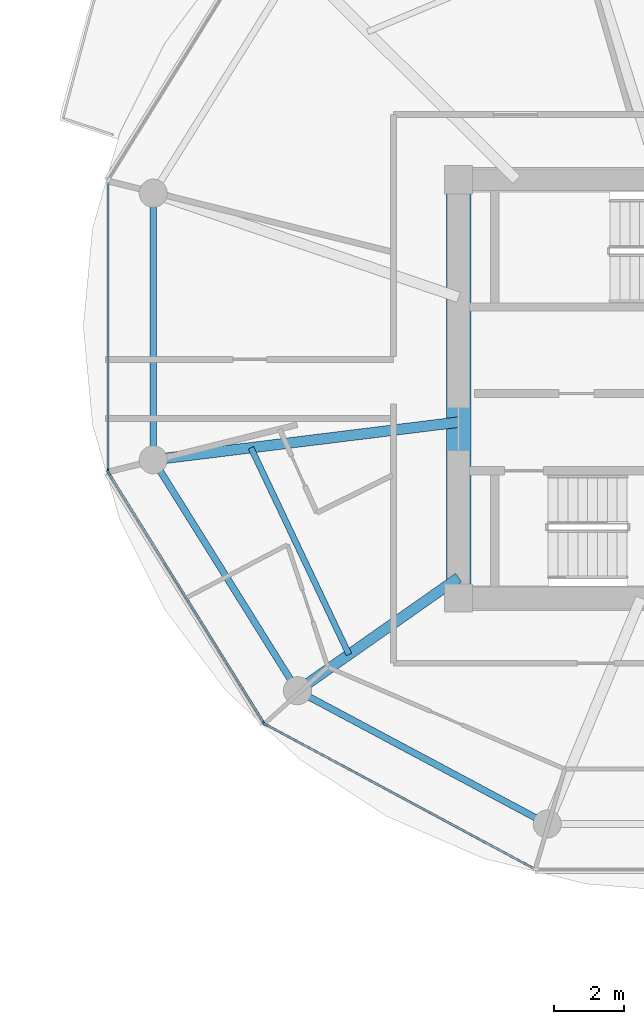
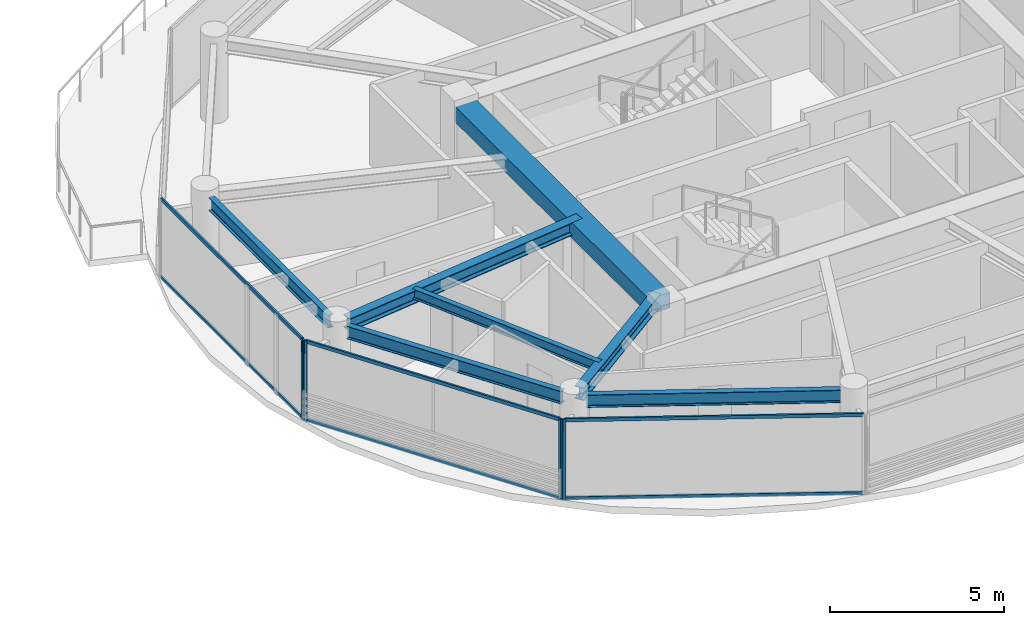
# One storey, part 6 of 22: 10 members, 7 beams, 3 elements without a shape of their own.
"""IFC4 building model written with IfcOpenShell, lengths in metres."""

from ifc_helpers import new_model, si_unit, direction, frame, origin, origin_2d, place, context, subcontext, project, spatial, rectangle, i_section, extrude, source, transform, mapped, material, layer, layer_set, material_profile, profile_set, type_object, type_shapes, element, aggregate, save


model = new_model("IFC4")

# Units and contexts
model_context = context("Model", 3, precision=1e-05, world=origin(), true_north=direction((0.0, 1.0)))
body_context = subcontext(model_context, "Body", "Model", "MODEL_VIEW")
ifc_project = project(units=[si_unit("LENGTHUNIT", "METRE"), si_unit("AREAUNIT", "SQUARE_METRE"), si_unit("VOLUMEUNIT", "CUBIC_METRE"), si_unit("PLANEANGLEUNIT", "RADIAN"), si_unit("MASSUNIT", "GRAM", prefix="KILO")], contexts=[model_context])

# Site, building, storey
site_placement = place(None, origin())
site = spatial("IfcSite", under=ifc_project, at=site_placement, CompositionType="ELEMENT")
building_placement = place(site_placement, origin())
building = spatial("IfcBuilding", under=site, at=building_placement, Name="Norrkilde Senior Care Towers", CompositionType="ELEMENT")
storey_placement = place(building_placement, frame((0.0, 0.0, 180.050048828125)))
storey = spatial("IfcBuildingStorey", under=building, at=storey_placement, Name="L56", CompositionType="ELEMENT", Elevation=180.050048828125)

# Beams
ifc_material_1 = material(Name="Concrete C60/75", Category="concrete")
ifc_material_profile_1 = material_profile(ifc_material_1, rectangle(XDim=0.699951171875, YDim=0.550048828125, at=origin_2d()), Name="RC BM 700x550")
ifc_profile_set_1 = profile_set([ifc_material_profile_1], Name="Concrete C60/75")
beam_type_1 = type_object("IfcBeamType", Name="Core Portal Coupling Beam 700x550", PredefinedType="USERDEFINED", material=ifc_profile_set_1)
shared_shape_1 = source(origin(), body_context, "Body", "SweptSolid", [
    extrude(rectangle(XDim=0.699951171875, YDim=0.550048828125, at=origin_2d()), origin(), (0.0, 0.0, 1.0), 11.14013671875),
])
type_shapes(beam_type_1, [shared_shape_1])
beam_1_placement = place(storey_placement, frame((20.35009765625, -5.570068359375, 2.534912109375), z_axis=(0.0, 1.0, 0.0), x_axis=(-1.0, 0.0, 0.0)))
element("IfcBeam", 1, at=beam_1_placement, inside=storey, type_object=beam_type_1, Name="L56 Core E W Coupling Girder", ObjectType="GIRDER", PredefinedType="USERDEFINED", context=body_context, shape_type="MappedRepresentation", body=[
    mapped(shared_shape_1, transform((0.0, 0.0, 0.0), x_axis=(1.0, 0.0, 0.0), y_axis=(0.0, 1.0, 0.0), z_axis=(0.0, 0.0, 1.0), scale=1.0)),
])
ifc_material_2 = material(Name="Steel S355", Category="steel")
ifc_material_profile_2 = material_profile(ifc_material_2, i_section(OverallWidth=0.18994140625, OverallDepth=0.449951171875, WebThickness=0.009521484375, FlangeThickness=0.0146484375, FilletRadius=0.02099609375, at=origin_2d()), Name="IPE 450")
ifc_profile_set_2 = profile_set([ifc_material_profile_2], Name="Steel S355")
beam_type_2 = type_object("IfcBeamType", Name="Perimeter Ring Spandrel Z3 IPE450", PredefinedType="SPANDREL", material=ifc_profile_set_2)
shared_shape_2 = source(origin(), body_context, "Body", "SweptSolid", [
    extrude(i_section(OverallWidth=0.18994140625, OverallDepth=0.449951171875, WebThickness=0.009521484375, FlangeThickness=0.0146484375, FilletRadius=0.02099609375, at=origin_2d()), origin(), (0.0, 0.0, 1.0), 6.86328125),
])
beam_2_placement = place(storey_placement, frame((11.6650390625, 5.20703125, 2.5849609375), z_axis=(0.0, -1.0, 0.0), x_axis=(1.0, 0.0, 0.0)))
element("IfcBeam", 2, at=beam_2_placement, inside=storey, type_object=beam_type_2, Name="L56 Drum E Perimeter Spandrel 06", PredefinedType="SPANDREL", context=body_context, shape_type="MappedRepresentation", body=[
    mapped(shared_shape_2, transform((0.0, 0.0, 0.0), x_axis=(1.0, 0.0, 0.0), y_axis=(0.0, 1.0, 0.0), z_axis=(0.0, 0.0, 1.0), scale=1.0)),
])
shared_shape_3 = source(origin(), body_context, "Body", "SweptSolid", [
    extrude(i_section(OverallWidth=0.18994140625, OverallDepth=0.449951171875, WebThickness=0.009521484375, FlangeThickness=0.0146484375, FilletRadius=0.02099609375, at=origin_2d()), origin(), (0.0, 0.0, 1.0), 7.023193359375),
])
beam_3_placement = place(storey_placement, frame((11.855712890625, -2.32177734375, 2.5849609375), z_axis=(0.529805197269, -0.848119362441, 0.0), x_axis=(0.848119362441, 0.529805197269, 0.0)))
element("IfcBeam", 3, at=beam_3_placement, inside=storey, type_object=beam_type_2, Name="L56 Drum E Perimeter Spandrel 07", PredefinedType="SPANDREL", context=body_context, shape_type="MappedRepresentation", body=[
    mapped(shared_shape_3, transform((0.0, 0.0, 0.0), x_axis=(1.0, 0.0, 0.0), y_axis=(0.0, 1.0, 0.0), z_axis=(0.0, 0.0, 1.0), scale=1.0)),
])
shared_shape_4 = source(origin(), body_context, "Body", "SweptSolid", [
    extrude(i_section(OverallWidth=0.18994140625, OverallDepth=0.449951171875, WebThickness=0.009521484375, FlangeThickness=0.0146484375, FilletRadius=0.02099609375, at=origin_2d()), origin(), (0.0, 0.0, 1.0), 7.333984375),
])
type_shapes(beam_type_2, [shared_shape_2, shared_shape_3, shared_shape_4])
beam_4_placement = place(storey_placement, frame((16.0849609375, -8.753173828125, 2.5849609375), z_axis=(0.882234038987, -0.470811109101, 0.0), x_axis=(0.470811109101, 0.882234038987, 0.0)))
element("IfcBeam", 4, at=beam_4_placement, inside=storey, type_object=beam_type_2, Name="L56 Drum E Perimeter Spandrel 08", PredefinedType="SPANDREL", context=body_context, shape_type="MappedRepresentation", body=[
    mapped(shared_shape_4, transform((0.0, 0.0, 0.0), x_axis=(1.0, 0.0, 0.0), y_axis=(0.0, 1.0, 0.0), z_axis=(0.0, 0.0, 1.0), scale=1.0)),
])
ifc_material_profile_3 = material_profile(ifc_material_2, i_section(OverallWidth=0.300048828125, OverallDepth=0.449951171875, WebThickness=0.013916015625, FlangeThickness=0.02587890625, FilletRadius=0.027099609375, at=origin_2d()), Name="HEB 450")
ifc_profile_set_3 = profile_set([ifc_material_profile_3], Name="Steel S355")
beam_type_3 = type_object("IfcBeamType", Name="Radial Floor Beam Z3 HEB450", PredefinedType="BEAM", material=ifc_profile_set_3)
shared_shape_5 = source(origin(), body_context, "Body", "SweptSolid", [
    extrude(i_section(OverallWidth=0.300048828125, OverallDepth=0.449951171875, WebThickness=0.013916015625, FlangeThickness=0.02587890625, FilletRadius=0.027099609375, at=origin_2d()), origin(), (0.0, 0.0, 1.0), 5.23828125),
])
beam_5_placement = place(storey_placement, frame((20.35009765625, -5.3681640625, 2.5849609375), z_axis=(-0.818592061291, -0.574375345215, 0.0), x_axis=(0.574375345215, -0.818592061291, 0.0)))
element("IfcBeam", 5, at=beam_5_placement, inside=storey, type_object=beam_type_3, Name="L56 Drum E Radial Floor Beam 08", PredefinedType="BEAM", context=body_context, shape_type="MappedRepresentation", body=[
    mapped(shared_shape_5, transform((0.0, 0.0, 0.0), x_axis=(1.0, 0.0, 0.0), y_axis=(0.0, 1.0, 0.0), z_axis=(0.0, 0.0, 1.0), scale=1.0)),
])
shared_shape_6 = source(origin(), body_context, "Body", "SweptSolid", [
    extrude(i_section(OverallWidth=0.300048828125, OverallDepth=0.449951171875, WebThickness=0.013916015625, FlangeThickness=0.02587890625, FilletRadius=0.027099609375, at=origin_2d()), origin(), (0.0, 0.0, 1.0), 8.390869140625),
])
type_shapes(beam_type_3, [shared_shape_5, shared_shape_6])
beam_6_placement = place(storey_placement, frame((20.35009765625, -0.9443359375, 2.5849609375), z_axis=(-0.99246916403, -0.122494728249, 0.0), x_axis=(0.122494728249, -0.99246916403, 0.0)))
element("IfcBeam", 6, at=beam_6_placement, inside=storey, type_object=beam_type_3, Name="L56 Drum E Radial Floor Beam 07", PredefinedType="BEAM", context=body_context, shape_type="MappedRepresentation", body=[
    mapped(shared_shape_6, transform((0.0, 0.0, 0.0), x_axis=(1.0, 0.0, 0.0), y_axis=(0.0, 1.0, 0.0), z_axis=(0.0, 0.0, 1.0), scale=1.0)),
])
ifc_material_profile_4 = material_profile(ifc_material_2, i_section(OverallWidth=0.169921875, OverallDepth=0.360107421875, WebThickness=0.008056640625, FlangeThickness=0.0126953125, FilletRadius=0.01806640625, at=origin_2d()), Name="IPE 360")
ifc_profile_set_4 = profile_set([ifc_material_profile_4], Name="Steel S355")
beam_type_4 = type_object("IfcBeamType", Name="Secondary Floor Joist IPE360", PredefinedType="JOIST", material=ifc_profile_set_4)
shared_shape_7 = source(origin(), body_context, "Body", "SweptSolid", [
    extrude(i_section(OverallWidth=0.169921875, OverallDepth=0.360107421875, WebThickness=0.008056640625, FlangeThickness=0.0126953125, FilletRadius=0.01806640625, at=origin_2d()), origin(), (0.0, 0.0, 1.0), 6.50927734375),
])
type_shapes(beam_type_4, [shared_shape_7])
beam_7_placement = place(storey_placement, frame((14.4443359375, -1.67333984375, 2.6298828125), z_axis=(0.428544169129, -0.90352083269, 0.0), x_axis=(0.90352083269, 0.428544169129, 0.0)))
element("IfcBeam", 7, at=beam_7_placement, inside=storey, type_object=beam_type_4, Name="L56 Drum E Secondary Floor Joist 3", PredefinedType="JOIST", context=body_context, shape_type="MappedRepresentation", body=[
    mapped(shared_shape_7, transform((0.0, 0.0, 0.0), x_axis=(1.0, 0.0, 0.0), y_axis=(0.0, 1.0, 0.0), z_axis=(0.0, 0.0, 1.0), scale=1.0)),
])

# Curtain wall, member
ifc_material_3 = material(Name="Triple Low-E Insulated Glazing", Category="glass")
ifc_layer = layer(ifc_material_3, 0.18994140625)
ifc_layer_set = layer_set([ifc_layer], Name="Triple Low-E Insulated Glazing")
curtain_wall_type = type_object("IfcCurtainWallType", Name="CW4 Zone 3 Senior Residence Curtain Wall", PredefinedType="NOTDEFINED", material=ifc_layer_set)
curtain_wall_1_placement = place(storey_placement, origin())
curtain_wall_1 = element("IfcCurtainWall", 8, at=curtain_wall_1_placement, inside=storey, type_object=curtain_wall_type, Name="L56 Drum E Curtain Wall 05", PredefinedType="NOTDEFINED")
ifc_material_4 = material(Name="Anodised Aluminium", Category="aluminium")
ifc_material_profile_5 = material_profile(ifc_material_4, rectangle(XDim=0.06494140625, YDim=0.14990234375, at=origin_2d()), Name="ALU MULL 65x150")
ifc_profile_set_5 = profile_set([ifc_material_profile_5], Name="Anodised Aluminium")
member_type_1 = type_object("IfcMemberType", Name="Curtain Wall Mullion Z3-Z4 65x150", PredefinedType="MULLION", material=ifc_profile_set_5)
shared_shape_8 = source(origin(), body_context, "Body", "SweptSolid", [
    extrude(rectangle(XDim=0.06494140625, YDim=0.14990234375, at=origin_2d()), origin(), (0.0, 0.0, 1.0), 2.81005859375),
])
type_shapes(member_type_1, [shared_shape_8])
member_1_placement = place(storey_placement, frame((10.38037109375, -2.328125, 0.0), z_axis=(0.0, 0.0, 1.0), x_axis=(-1.0, 0.0, 0.0)))
member_1 = element("IfcMember", 9, at=member_1_placement, type_object=member_type_1, Name="CW-4 mullion 1", PredefinedType="MULLION", context=body_context, shape_type="MappedRepresentation", body=[
    mapped(shared_shape_8, transform((0.0, 0.0, 0.0), x_axis=(1.0, 0.0, 0.0), y_axis=(0.0, 1.0, 0.0), z_axis=(0.0, 0.0, 1.0), scale=1.0)),
])

# Curtain wall, members
curtain_wall_2_placement = place(storey_placement, origin())
curtain_wall_2 = element("IfcCurtainWall", 10, at=curtain_wall_2_placement, inside=storey, type_object=curtain_wall_type, Name="L56 Drum E Curtain Wall 06", PredefinedType="NOTDEFINED")
member_2_placement = place(storey_placement, frame((14.809814453125, -9.49658203125, 0.0), z_axis=(0.0, 0.0, 1.0), x_axis=(-0.84963405474, -0.52737270789, 0.0)))
member_2 = element("IfcMember", 11, at=member_2_placement, type_object=member_type_1, Name="CW-4 mullion 1", PredefinedType="MULLION", context=body_context, shape_type="MappedRepresentation", body=[
    mapped(shared_shape_8, transform((0.0, 0.0, 0.0), x_axis=(1.0, 0.0, 0.0), y_axis=(0.0, 1.0, 0.0), z_axis=(0.0, 0.0, 1.0), scale=1.0)),
])
member_3_placement = place(storey_placement, frame((10.3974609375, -2.38818359375, 0.0), z_axis=(0.0, 0.0, 1.0), x_axis=(-0.84963405474, -0.52737270789, 0.0)))
member_3 = element("IfcMember", 12, at=member_3_placement, type_object=member_type_1, Name="CW-4 mullion 2", PredefinedType="MULLION", context=body_context, shape_type="MappedRepresentation", body=[
    mapped(shared_shape_8, transform((0.0, 0.0, 0.0), x_axis=(1.0, 0.0, 0.0), y_axis=(0.0, 1.0, 0.0), z_axis=(0.0, 0.0, 1.0), scale=1.0)),
])

# Curtain wall, member
curtain_wall_3_placement = place(storey_placement, origin())
curtain_wall_3 = element("IfcCurtainWall", 13, at=curtain_wall_3_placement, inside=storey, type_object=curtain_wall_type, Name="L56 Drum E Curtain Wall 07", PredefinedType="NOTDEFINED")
member_4_placement = place(storey_placement, frame((14.85546875, -9.53955078125, 0.0), z_axis=(0.0, 0.0, 1.0), x_axis=(-0.47311715104, -0.880999524059, 0.0)))
member_4 = element("IfcMember", 14, at=member_4_placement, type_object=member_type_1, Name="CW-4 mullion 2", PredefinedType="MULLION", context=body_context, shape_type="MappedRepresentation", body=[
    mapped(shared_shape_8, transform((0.0, 0.0, 0.0), x_axis=(1.0, 0.0, 0.0), y_axis=(0.0, 1.0, 0.0), z_axis=(0.0, 0.0, 1.0), scale=1.0)),
])

# Member
ifc_material_profile_6 = material_profile(ifc_material_4, rectangle(XDim=0.06005859375, YDim=0.1201171875, at=origin_2d()), Name="ALU TRAN 60x120")
ifc_profile_set_6 = profile_set([ifc_material_profile_6], Name="Anodised Aluminium")
member_type_2 = type_object("IfcMemberType", Name="Curtain Wall Transom Typical 60x120", PredefinedType="USERDEFINED", material=ifc_profile_set_6)
shared_shape_9 = source(origin(), body_context, "Body", "SweptSolid", [
    extrude(rectangle(XDim=0.06005859375, YDim=0.1201171875, at=origin_2d()), origin(), (0.0, 0.0, 1.0), 8.301513671875),
])
member_5_placement = place(storey_placement, frame((14.792724609375, -9.468994140625, 0.030029296875), z_axis=(-0.527368718394, 0.849636531029, 0.0), x_axis=(-0.849636531029, -0.527368718394, 0.0)))
member_5 = element("IfcMember", 15, at=member_5_placement, type_object=member_type_2, Name="CW-4 transom 1.1", ObjectType="TRANSOM", PredefinedType="USERDEFINED", context=body_context, shape_type="MappedRepresentation", body=[
    mapped(shared_shape_9, transform((0.0, 0.0, 0.0), x_axis=(1.0, 0.0, 0.0), y_axis=(0.0, 1.0, 0.0), z_axis=(0.0, 0.0, 1.0), scale=1.0)),
])

member_6_placement = place(storey_placement, frame((14.792724609375, -9.468994140625, 2.780029296875), z_axis=(-0.527368718394, 0.849636531029, 0.0), x_axis=(-0.849636531029, -0.527368718394, 0.0)))
member_6 = element("IfcMember", 16, at=member_6_placement, type_object=member_type_2, Name="CW-4 transom 1.2", ObjectType="TRANSOM", PredefinedType="USERDEFINED", context=body_context, shape_type="MappedRepresentation", body=[
    mapped(shared_shape_9, transform((0.0, 0.0, 0.0), x_axis=(1.0, 0.0, 0.0), y_axis=(0.0, 1.0, 0.0), z_axis=(0.0, 0.0, 1.0), scale=1.0)),
])

aggregate(curtain_wall_2, [member_2, member_3, member_5, member_6])

shared_shape_10 = source(origin(), body_context, "Body", "SweptSolid", [
    extrude(rectangle(XDim=0.06005859375, YDim=0.1201171875, at=origin_2d()), origin(), (0.0, 0.0, 1.0), 8.61181640625),
])
member_7_placement = place(storey_placement, frame((22.47119140625, -13.62939453125, 0.030029296875), z_axis=(-0.880993991641, 0.473127452906, 0.0), x_axis=(-0.473127452906, -0.880993991641, 0.0)))
member_7 = element("IfcMember", 17, at=member_7_placement, type_object=member_type_2, Name="CW-4 transom 1.1", ObjectType="TRANSOM", PredefinedType="USERDEFINED", context=body_context, shape_type="MappedRepresentation", body=[
    mapped(shared_shape_10, transform((0.0, 0.0, 0.0), x_axis=(1.0, 0.0, 0.0), y_axis=(0.0, 1.0, 0.0), z_axis=(0.0, 0.0, 1.0), scale=1.0)),
])

member_8_placement = place(storey_placement, frame((22.47119140625, -13.62939453125, 2.780029296875), z_axis=(-0.880993991641, 0.473127452906, 0.0), x_axis=(-0.473127452906, -0.880993991641, 0.0)))
member_8 = element("IfcMember", 18, at=member_8_placement, type_object=member_type_2, Name="CW-4 transom 1.2", ObjectType="TRANSOM", PredefinedType="USERDEFINED", context=body_context, shape_type="MappedRepresentation", body=[
    mapped(shared_shape_10, transform((0.0, 0.0, 0.0), x_axis=(1.0, 0.0, 0.0), y_axis=(0.0, 1.0, 0.0), z_axis=(0.0, 0.0, 1.0), scale=1.0)),
])

aggregate(curtain_wall_3, [member_4, member_7, member_8])

shared_shape_11 = source(origin(), body_context, "Body", "SweptSolid", [
    extrude(rectangle(XDim=0.06005859375, YDim=0.1201171875, at=origin_2d()), origin(), (0.0, 0.0, 1.0), 8.141845703125),
])
type_shapes(member_type_2, [shared_shape_9, shared_shape_10, shared_shape_11])
member_9_placement = place(storey_placement, frame((10.38037109375, -2.295654296875, 0.030029296875), z_axis=(0.0, 1.0, 0.0), x_axis=(-1.0, 0.0, 0.0)))
member_9 = element("IfcMember", 19, at=member_9_placement, type_object=member_type_2, Name="CW-4 transom 1.1", ObjectType="TRANSOM", PredefinedType="USERDEFINED", context=body_context, shape_type="MappedRepresentation", body=[
    mapped(shared_shape_11, transform((0.0, 0.0, 0.0), x_axis=(1.0, 0.0, 0.0), y_axis=(0.0, 1.0, 0.0), z_axis=(0.0, 0.0, 1.0), scale=1.0)),
])

member_10_placement = place(storey_placement, frame((10.38037109375, -2.295654296875, 2.780029296875), z_axis=(0.0, 1.0, 0.0), x_axis=(-1.0, 0.0, 0.0)))
member_10 = element("IfcMember", 20, at=member_10_placement, type_object=member_type_2, Name="CW-4 transom 1.2", ObjectType="TRANSOM", PredefinedType="USERDEFINED", context=body_context, shape_type="MappedRepresentation", body=[
    mapped(shared_shape_11, transform((0.0, 0.0, 0.0), x_axis=(1.0, 0.0, 0.0), y_axis=(0.0, 1.0, 0.0), z_axis=(0.0, 0.0, 1.0), scale=1.0)),
])

aggregate(curtain_wall_1, [member_1, member_9, member_10])

save(model, "model.ifc")
